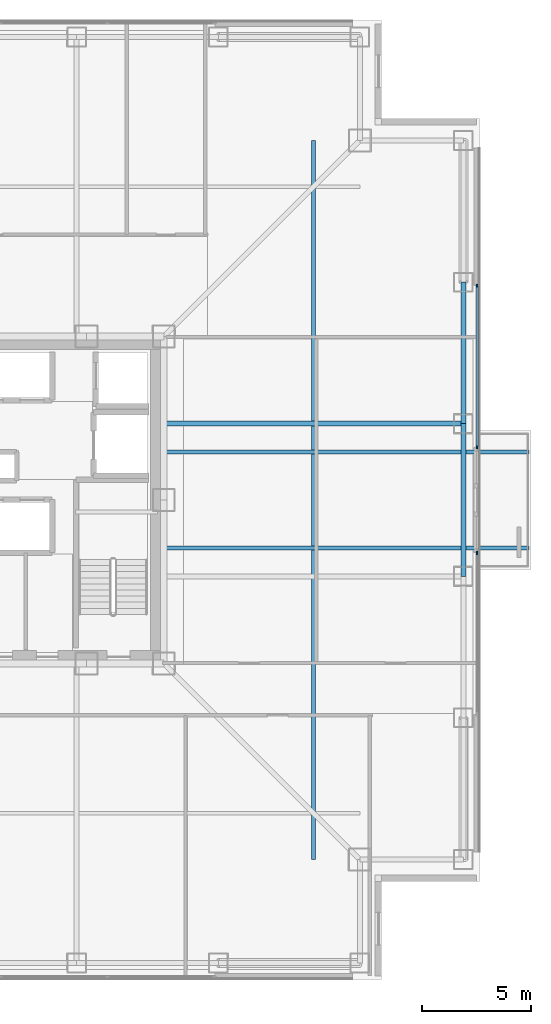
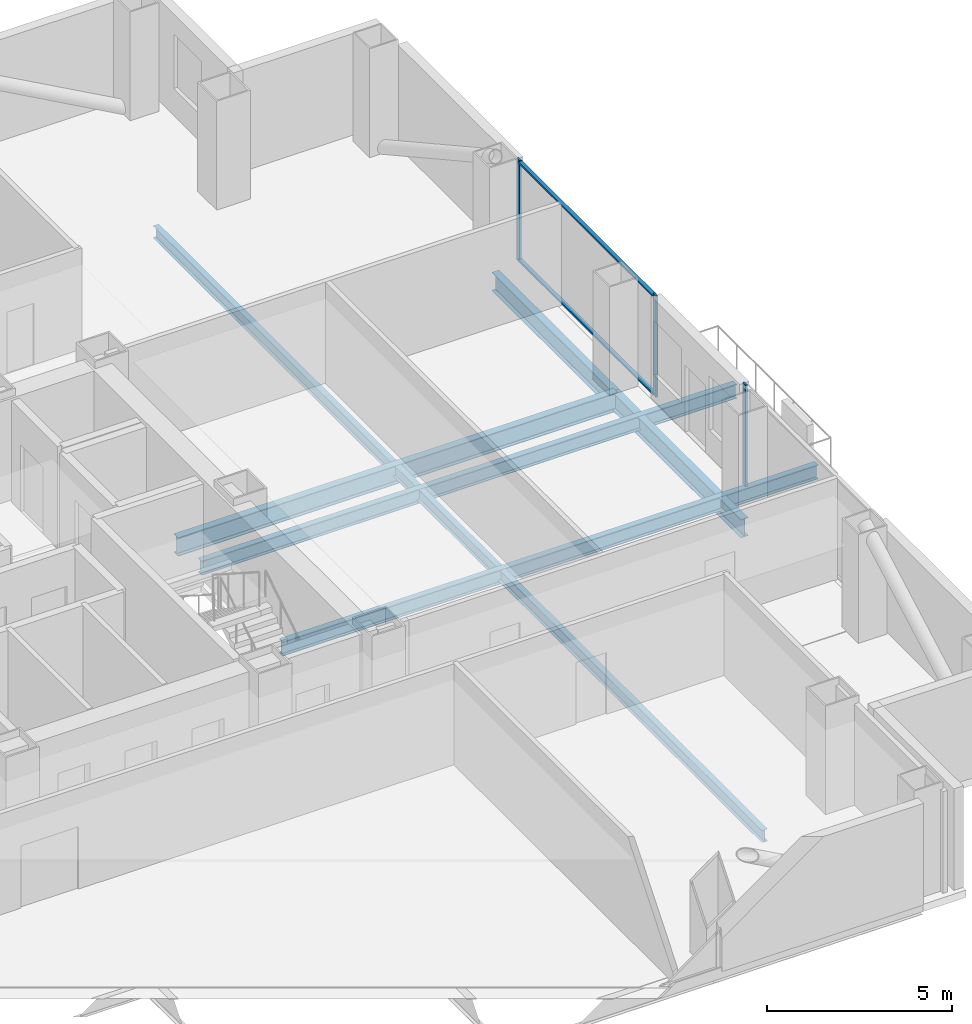
# One storey, part 7 of 16: 6 beams, 5 members, 2 elements without a shape of their own.
"""IFC4 building model written with IfcOpenShell, lengths in metres."""

from ifc_helpers import new_model, si_unit, direction, frame, origin, origin_2d, place, context, subcontext, project, spatial, rectangle, i_section, extrude, material, layer, layer_set, material_profile, profile_set, type_object, element, aggregate, save


model = new_model("IFC4")

# Units and contexts
model_context = context("Model", 3, precision=1e-05, world=origin(), true_north=direction((0.0, 1.0)))
body_context = subcontext(model_context, "Body", "Model", "MODEL_VIEW")
ifc_project = project(units=[si_unit("LENGTHUNIT", "METRE"), si_unit("AREAUNIT", "SQUARE_METRE"), si_unit("VOLUMEUNIT", "CUBIC_METRE"), si_unit("PLANEANGLEUNIT", "RADIAN"), si_unit("MASSUNIT", "GRAM", prefix="KILO")], contexts=[model_context])

# Site, building, storey
site_placement = place(None, origin())
site = spatial("IfcSite", under=ifc_project, at=site_placement, CompositionType="ELEMENT")
building_placement = place(site_placement, origin())
building = spatial("IfcBuilding", under=site, at=building_placement, Name="Trevonay Congress Spire", CompositionType="ELEMENT")
storey_placement = place(building_placement, frame((0.0, 0.0, 144.39990234375)))
storey = spatial("IfcBuildingStorey", under=building, at=storey_placement, Name="L37", CompositionType="ELEMENT", Elevation=144.39990234375)

# Beams
ifc_material_1 = material(Name="Steel ASTM A572 Grade 50", Category="steel")
ifc_material_profile_1 = material_profile(ifc_material_1, i_section(OverallWidth=0.194091796875, OverallDepth=0.468994140625, WebThickness=0.011474609375, FlangeThickness=0.01953125, FilletRadius=0.013916015625, at=origin_2d()), Name="W460x106")
ifc_profile_set_1 = profile_set([ifc_material_profile_1], Name="Steel ASTM A572 Grade 50")
beam_type_1 = type_object("IfcBeamType", Name="BM-BAL-LOOKOUT", PredefinedType="BEAM", material=ifc_profile_set_1)
for number, where, z_axis, x_axis, name in (
    (1, (7.5, -2.199951171875, -0.474365234375), (1.0, 0.0, 0.0), (0.0, 1.0, 0.0), "L37 structural beam LKT-L37-E1"),
    (2, (7.5, 2.199951171875, -0.474365234375), (1.0, 0.0, 0.0), (0.0, 1.0, 0.0), "L37 structural beam LKT-L37-E2"),
):
    element("IfcBeam", number, at=place(storey_placement, frame(where, z_axis=z_axis, x_axis=x_axis)), inside=storey, type_object=beam_type_1, Name=name, PredefinedType="BEAM", context=body_context, shape_type="SweptSolid", body=[
        extrude(i_section(OverallWidth=0.194091796875, OverallDepth=0.468994140625, WebThickness=0.011474609375, FlangeThickness=0.01953125, FilletRadius=0.013916015625, at=origin_2d()), origin(), (0.0, 0.0, 1.0), 16.75),
    ])
ifc_material_profile_2 = material_profile(ifc_material_1, i_section(OverallWidth=0.22998046875, OverallDepth=0.616943359375, WebThickness=0.01318359375, FlangeThickness=0.022216796875, FilletRadius=0.01611328125, at=origin_2d()), Name="W610x140")
ifc_profile_set_2 = profile_set([ifc_material_profile_2], Name="Steel ASTM A572 Grade 50")
beam_type_2 = type_object("IfcBeamType", Name="BM-GIRD-W610X140", PredefinedType="BEAM", material=ifc_profile_set_2)
beam_1_placement = place(storey_placement, frame((7.5, 3.5, -0.54833984375), z_axis=(1.0, 0.0, 0.0), x_axis=(0.0, 1.0, 0.0)))
element("IfcBeam", 3, at=beam_1_placement, inside=storey, type_object=beam_type_2, Name="L37 structural beam BM-L37-GE-P", PredefinedType="BEAM", context=body_context, shape_type="SweptSolid", body=[
    extrude(i_section(OverallWidth=0.22998046875, OverallDepth=0.616943359375, WebThickness=0.01318359375, FlangeThickness=0.022216796875, FilletRadius=0.01611328125, at=origin_2d()), origin(), (0.0, 0.0, 1.0), 13.75),
])
ifc_material_profile_3 = material_profile(ifc_material_1, i_section(OverallWidth=0.22802734375, OverallDepth=0.60791015625, WebThickness=0.01123046875, FlangeThickness=0.017333984375, FilletRadius=0.01611328125, at=origin_2d()), Name="W610x113")
ifc_profile_set_3 = profile_set([ifc_material_profile_3], Name="Steel ASTM A572 Grade 50")
beam_type_3 = type_object("IfcBeamType", Name="BM-RING-W610X113", PredefinedType="BEAM", material=ifc_profile_set_3)
beam_2_placement = place(storey_placement, frame((21.25, -3.5, -0.5439453125), z_axis=(0.0, 1.0, 0.0), x_axis=(-1.0, 0.0, 0.0)))
element("IfcBeam", 4, at=beam_2_placement, inside=storey, type_object=beam_type_3, Name="L37 structural beam BM-L37-PE3", PredefinedType="BEAM", context=body_context, shape_type="SweptSolid", body=[
    extrude(i_section(OverallWidth=0.22802734375, OverallDepth=0.60791015625, WebThickness=0.01123046875, FlangeThickness=0.017333984375, FilletRadius=0.01611328125, at=origin_2d()), origin(), (0.0, 0.0, 1.0), 7.0),
])
beam_3_placement = place(storey_placement, frame((21.25, 3.5, -0.5439453125), z_axis=(0.0, 1.0, 0.0), x_axis=(-1.0, 0.0, 0.0)))
element("IfcBeam", 5, at=beam_3_placement, inside=storey, type_object=beam_type_3, Name="L37 structural beam BM-L37-PE4", PredefinedType="BEAM", context=body_context, shape_type="SweptSolid", body=[
    extrude(i_section(OverallWidth=0.22802734375, OverallDepth=0.60791015625, WebThickness=0.01123046875, FlangeThickness=0.017333984375, FilletRadius=0.01611328125, at=origin_2d()), origin(), (0.0, 0.0, 1.0), 6.5),
])

# Curtain wall, member
ifc_material_2 = material(Name="Pale Anodised Aluminium EN AW-6063-T6", Category="aluminium")
ifc_layer = layer(ifc_material_2, 0.175048828125, Name="Pale Anodised Aluminium EN AW-6063-T6")
ifc_layer_set = layer_set([ifc_layer], Name="Pale Anodised Aluminium EN AW-6063-T6")
curtain_wall_type = type_object("IfcCurtainWallType", Name="CW-SYS03-CONGRESS-PALE-METAL", PredefinedType="NOTDEFINED", material=ifc_layer_set)
curtain_wall_1_placement = place(storey_placement, origin())
curtain_wall_1 = element("IfcCurtainWall", 6, at=curtain_wall_1_placement, inside=storey, type_object=curtain_wall_type, Name="L37 EA unitised curtain wall", PredefinedType="NOTDEFINED")
ifc_material_profile_4 = material_profile(ifc_material_2, rectangle(XDim=0.06005859375, YDim=0.159912109375, at=origin_2d()), Name="CW-MULLION-160-ALUMINIUM")
ifc_profile_set_4 = profile_set([ifc_material_profile_4], Name="Pale Anodised Aluminium EN AW-6063-T6")
member_type_1 = type_object("IfcMemberType", Name="CW-MULLION-160-ALUMINIUM", PredefinedType="MULLION", material=ifc_profile_set_4)
member_1_placement = place(storey_placement, frame((21.8798828125, -2.429931640625, 0.0), z_axis=(0.0, 0.0, 1.0), x_axis=(-1.0, 0.0, 0.0)))
member_1 = element("IfcMember", 7, at=member_1_placement, type_object=member_type_1, Name="CW03 mullion 2", PredefinedType="MULLION", context=body_context, shape_type="SweptSolid", body=[
    extrude(rectangle(XDim=0.06005859375, YDim=0.159912109375, at=origin_2d()), origin(), (0.0, 0.0, 1.0), 3.360107421875),
])
aggregate(curtain_wall_1, [member_1])

# Curtain wall, members
curtain_wall_2_placement = place(storey_placement, origin())
curtain_wall_2 = element("IfcCurtainWall", 8, at=curtain_wall_2_placement, inside=storey, type_object=curtain_wall_type, Name="L37 EB unitised curtain wall", PredefinedType="NOTDEFINED")
member_2_placement = place(storey_placement, frame((21.8798828125, 2.429931640625, 0.0), z_axis=(0.0, 0.0, 1.0), x_axis=(-1.0, 0.0, 0.0)))
member_2 = element("IfcMember", 9, at=member_2_placement, type_object=member_type_1, Name="CW03 mullion 1", PredefinedType="MULLION", context=body_context, shape_type="SweptSolid", body=[
    extrude(rectangle(XDim=0.06005859375, YDim=0.159912109375, at=origin_2d()), origin(), (0.0, 0.0, 1.0), 3.360107421875),
])
member_3_placement = place(storey_placement, frame((21.8798828125, 9.820068359375, 0.0), z_axis=(0.0, 0.0, 1.0), x_axis=(-1.0, 0.0, 0.0)))
member_3 = element("IfcMember", 10, at=member_3_placement, type_object=member_type_1, Name="CW03 mullion 2", PredefinedType="MULLION", context=body_context, shape_type="SweptSolid", body=[
    extrude(rectangle(XDim=0.06005859375, YDim=0.159912109375, at=origin_2d()), origin(), (0.0, 0.0, 1.0), 3.360107421875),
])
ifc_material_profile_5 = material_profile(ifc_material_2, rectangle(XDim=0.1201171875, YDim=0.06005859375, at=origin_2d()), Name="CW-TRANSOM-120-ALUMINIUM")
ifc_profile_set_5 = profile_set([ifc_material_profile_5], Name="Pale Anodised Aluminium EN AW-6063-T6")
member_type_2 = type_object("IfcMemberType", Name="CW-TRANSOM-120-ALUMINIUM", PredefinedType="USERDEFINED", material=ifc_profile_set_5)
member_4_placement = place(storey_placement, frame((21.8798828125, 2.4599609375, 0.06005859375), z_axis=(0.0, 1.0, 0.0), x_axis=(-1.0, 0.0, 0.0)))
member_4 = element("IfcMember", 11, at=member_4_placement, type_object=member_type_2, Name="CW03 transom 1.1", ObjectType="TRANSOM", PredefinedType="USERDEFINED", context=body_context, shape_type="SweptSolid", body=[
    extrude(rectangle(XDim=0.1201171875, YDim=0.06005859375, at=origin_2d()), origin(), (0.0, 0.0, 1.0), 7.330078125),
])
member_5_placement = place(storey_placement, frame((21.8798828125, 2.4599609375, 3.300048828125), z_axis=(0.0, 1.0, 0.0), x_axis=(-1.0, 0.0, 0.0)))
member_5 = element("IfcMember", 12, at=member_5_placement, type_object=member_type_2, Name="CW03 transom 1.2", ObjectType="TRANSOM", PredefinedType="USERDEFINED", context=body_context, shape_type="SweptSolid", body=[
    extrude(rectangle(XDim=0.1201171875, YDim=0.06005859375, at=origin_2d()), origin(), (0.0, 0.0, 1.0), 7.330078125),
])
aggregate(curtain_wall_2, [member_2, member_3, member_4, member_5])

# Beam
ifc_material_profile_6 = material_profile(ifc_material_1, i_section(OverallWidth=0.177978515625, OverallDepth=0.406982421875, WebThickness=0.0078125, FlangeThickness=0.0126953125, FilletRadius=0.012939453125, at=origin_2d()), Name="W410x60")
ifc_profile_set_6 = profile_set([ifc_material_profile_6], Name="Steel ASTM A572 Grade 50")
beam_type_4 = type_object("IfcBeamType", Name="JS-COMP-W410X60", PredefinedType="JOIST", material=ifc_profile_set_6)
beam_4_placement = place(storey_placement, frame((14.375, -16.5, -0.443359375), z_axis=(0.0, 1.0, 0.0), x_axis=(-1.0, 0.0, 0.0)))
element("IfcBeam", 13, at=beam_4_placement, inside=storey, type_object=beam_type_4, Name="L37 structural beam JS-L37-RING-E", PredefinedType="JOIST", context=body_context, shape_type="SweptSolid", body=[
    extrude(i_section(OverallWidth=0.177978515625, OverallDepth=0.406982421875, WebThickness=0.0078125, FlangeThickness=0.0126953125, FilletRadius=0.012939453125, at=origin_2d()), origin(), (0.0, 0.0, 1.0), 33.0),
])

save(model, "model.ifc")
